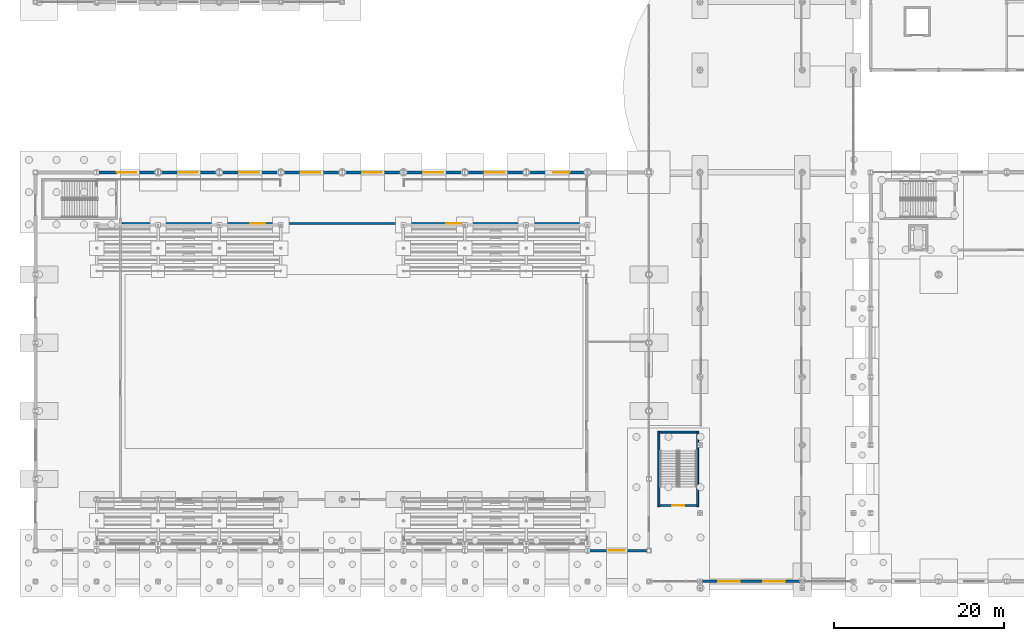
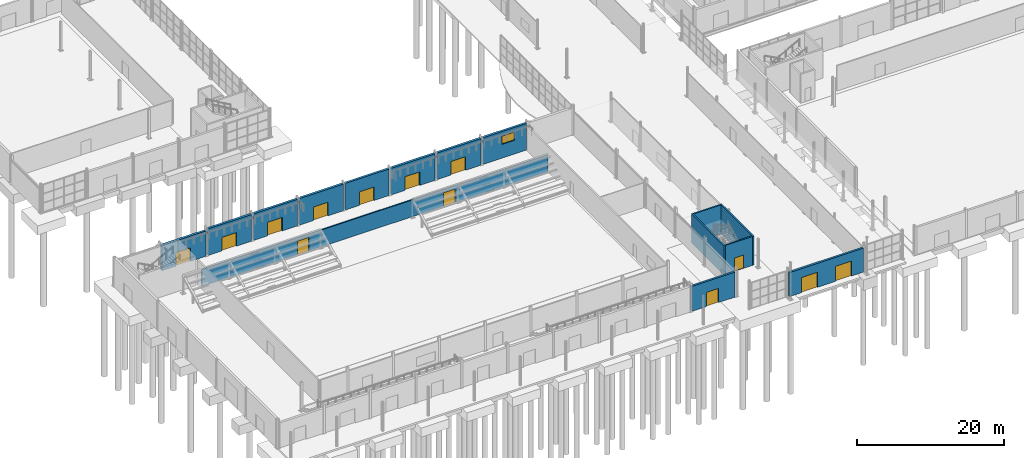
# One storey, part 75 of 101: 15 walls, 13 doors, 1 window, 14 openings.
"""IFC4 building model written with IfcOpenShell, lengths in metres."""

from ifc_helpers import new_model, si_unit, derived_unit, direction, frame, frame_2d, origin, place, context, subcontext, project, spatial, rectangle, extrude, material, layer, layer_set, type_object, element, fill, save


model = new_model("IFC4")

# Units and contexts
model_context = context("Model", 3, precision=1e-05, world=origin(), true_north=direction((0.0, 1.0)))
body_context = subcontext(model_context, "Body", "Model", "MODEL_VIEW")
ifc_project = project(units=[si_unit("LENGTHUNIT", "METRE"), si_unit("AREAUNIT", "SQUARE_METRE"), si_unit("VOLUMEUNIT", "CUBIC_METRE"), si_unit("PLANEANGLEUNIT", "RADIAN"), si_unit("MASSUNIT", "GRAM", prefix="KILO"), derived_unit("THERMALTRANSMITTANCEUNIT", [(si_unit("POWERUNIT", "WATT"), 1), (si_unit("LENGTHUNIT", "METRE"), -2), (si_unit("THERMODYNAMICTEMPERATUREUNIT", "KELVIN"), -1)])], contexts=[model_context])

# Site, building, storey
site_placement = place(None, origin())
site = spatial("IfcSite", under=ifc_project, at=site_placement, CompositionType="ELEMENT")
building_placement = place(site_placement, origin())
building = spatial("IfcBuilding", under=site, at=building_placement, Name="Keldorne Ridge Multi-Sports Centre", CompositionType="ELEMENT")
storey_placement = place(building_placement, origin())
storey = spatial("IfcBuildingStorey", under=building, at=storey_placement, Name="L00", CompositionType="ELEMENT", Elevation=0.0)

# Wall, opening, door
ifc_material_1 = material(Name="Precast concrete C40/50", Category="concrete")
ifc_layer_1 = layer(ifc_material_1, 0.320068359375)
ifc_layer_set_1 = layer_set([ifc_layer_1], Name="Precast concrete C40/50")
wall_type_1 = type_object("IfcWallType", Name="WAL-PR-W1", PredefinedType="STANDARD", material=ifc_layer_set_1)
wall_1_placement = place(storey_placement, frame((70.951904296875, 9.60009765625, 0.0), z_axis=(0.0, 0.0, 1.0), x_axis=(1.0, 0.0, 0.0)))
wall_1 = element("IfcWall", 1, at=wall_1_placement, inside=storey, type_object=wall_type_1, Name="Main Hall south ground wall bay 10", PredefinedType="STANDARD", context=body_context, shape_type="SweptSolid", body=[
    extrude(rectangle(XDim=6.7919921875, YDim=0.320068359375, at=frame_2d((3.39599609375, 0.0))), origin(), (0.0, 0.0, 1.0), 4.155029296875),
])
opening_1_placement = place(wall_1_placement, frame((2.337890625, 0.0, 0.0)))
opening_1 = element("IfcOpeningElement", 2, at=opening_1_placement, cuts=wall_1, Name="Opening ED-07", PredefinedType="OPENING", context=body_context, shape_type="SweptSolid", body=[
    extrude(rectangle(XDim=1.89990234375, YDim=2.35009765625, at=frame_2d((0.949951171875, 1.175048828125))), frame((0.0, 0.169921875, 0.0), z_axis=(0.0, -1.0, 0.0), x_axis=(1.0, 0.0, 0.0)), (0.0, 0.0, 1.0), 0.340087890625),
])
ifc_material_2 = material(Name="Galvanized steel", Category="steel")
door_type_1 = type_object("IfcDoorType", Name="DR-ED-07", OperationType="NOTDEFINED", PredefinedType="DOOR", material=ifc_material_2)
door_1_placement = place(opening_1_placement, origin())
door_1 = element("IfcDoor", 3, at=door_1_placement, inside=storey, type_object=door_type_1, Name="South Colonnade double exit door bay 10", OperationType="DOUBLE_DOOR_SINGLE_SWING", OverallHeight=2.35009765625, OverallWidth=1.89990234375, PredefinedType="DOOR", context=body_context, shape_type="SweptSolid", body=[
    extrude(rectangle(XDim=1.89990234375, YDim=2.35009765625, at=frame_2d((0.949951171875, 1.175048828125))), frame((0.0, 0.02490234375, 0.0), z_axis=(0.0, -1.0, 0.0), x_axis=(1.0, 0.0, 0.0)), (0.0, 0.0, 1.0), 0.050048828125),
])
fill(opening_1, door_1)

# Wall, openings, doors
wall_2_placement = place(storey_placement, frame((84.163818359375, 6.0, 0.0), z_axis=(0.0, 0.0, 1.0), x_axis=(1.0, 0.0, 0.0)))
wall_2 = element("IfcWall", 4, at=wall_2_placement, inside=storey, type_object=wall_type_1, Name="Public Passage S entrance portal", PredefinedType="STANDARD", context=body_context, shape_type="SweptSolid", body=[
    extrude(rectangle(XDim=11.67236328125, YDim=0.320068359375, at=frame_2d((5.836181640625, 0.0))), origin(), (0.0, 0.0, 1.0), 3.985107421875),
])
opening_2_placement = place(wall_2_placement, frame((1.97607421875, 0.0, 0.0)))
opening_2 = element("IfcOpeningElement", 5, at=opening_2_placement, cuts=wall_2, Name="Opening ED-02", PredefinedType="OPENING", context=body_context, shape_type="SweptSolid", body=[
    extrude(rectangle(XDim=2.5, YDim=2.5, at=frame_2d((1.25, 1.25))), frame((0.0, 0.169921875, 0.0), z_axis=(0.0, -1.0, 0.0), x_axis=(1.0, 0.0, 0.0)), (0.0, 0.0, 1.0), 0.340087890625),
])
opening_3_placement = place(wall_2_placement, frame((7.276123046875, 0.0, 0.0)))
opening_3 = element("IfcOpeningElement", 6, at=opening_3_placement, cuts=wall_2, Name="Opening ED-02", PredefinedType="OPENING", context=body_context, shape_type="SweptSolid", body=[
    extrude(rectangle(XDim=2.5, YDim=2.5, at=frame_2d((1.25, 1.25))), frame((0.0, 0.169921875, 0.0), z_axis=(0.0, -1.0, 0.0), x_axis=(1.0, 0.0, 0.0)), (0.0, 0.0, 1.0), 0.340087890625),
])
door_type_2 = type_object("IfcDoorType", Name="DR-ED-02", OperationType="NOTDEFINED", PredefinedType="DOOR", material=ifc_material_2)
door_2_placement = place(opening_2_placement, origin())
door_2 = element("IfcDoor", 7, at=door_2_placement, inside=storey, type_object=door_type_2, Name="Public Passage S portal west double entrance", OperationType="DOUBLE_DOOR_SINGLE_SWING", OverallHeight=2.5, OverallWidth=2.5, PredefinedType="DOOR", context=body_context, shape_type="SweptSolid", body=[
    extrude(rectangle(XDim=2.5, YDim=2.5, at=frame_2d((1.25, 1.25))), frame((0.0, 0.02490234375, 0.0), z_axis=(0.0, -1.0, 0.0), x_axis=(1.0, 0.0, 0.0)), (0.0, 0.0, 1.0), 0.050048828125),
])
fill(opening_2, door_2)
door_3_placement = place(opening_3_placement, origin())
door_3 = element("IfcDoor", 8, at=door_3_placement, inside=storey, type_object=door_type_2, Name="Public Passage S portal east double entrance", OperationType="DOUBLE_DOOR_SINGLE_SWING", OverallHeight=2.5, OverallWidth=2.5, PredefinedType="DOOR", context=body_context, shape_type="SweptSolid", body=[
    extrude(rectangle(XDim=2.5, YDim=2.5, at=frame_2d((1.25, 1.25))), frame((0.0, 0.02490234375, 0.0), z_axis=(0.0, -1.0, 0.0), x_axis=(1.0, 0.0, 0.0)), (0.0, 0.0, 1.0), 0.050048828125),
])
fill(opening_3, door_3)

# Wall, opening, door
ifc_layer_2 = layer(ifc_material_1, 0.360107421875)
ifc_layer_set_2 = layer_set([ifc_layer_2], Name="Precast concrete C40/50")
wall_type_2 = type_object("IfcWallType", Name="WAL-PR-W2", PredefinedType="STANDARD", material=ifc_layer_set_2)
wall_3_placement = place(storey_placement, frame((20.248046875, 54.0, 0.0), z_axis=(0.0, 0.0, 1.0), x_axis=(-1.0, 0.0, 0.0)))
wall_3 = element("IfcWall", 9, at=wall_3_placement, inside=storey, type_object=wall_type_2, Name="Main Hall north acoustic wall bay 2", PredefinedType="STANDARD", context=body_context, shape_type="SweptSolid", body=[
    extrude(rectangle(XDim=6.89599609375, YDim=0.360107421875, at=frame_2d((3.447998046875, 0.0))), origin(), (0.0, 0.0, 1.0), 4.205078125),
])
opening_4_placement = place(wall_3_placement, frame((2.387939453125, 0.0, 0.0)))
opening_4 = element("IfcOpeningElement", 10, at=opening_4_placement, cuts=wall_3, Name="Opening ED-03", PredefinedType="OPENING", context=body_context, shape_type="SweptSolid", body=[
    extrude(rectangle(XDim=2.300048828125, YDim=2.25, at=frame_2d((1.14990234375, 1.125))), frame((0.0, 0.18994140625, 0.0), z_axis=(0.0, -1.0, 0.0), x_axis=(1.0, 0.0, 0.0)), (0.0, 0.0, 1.0), 0.380126953125),
])
door_type_3 = type_object("IfcDoorType", Name="DR-ED-03", OperationType="NOTDEFINED", PredefinedType="DOOR", material=ifc_material_2)
door_4_placement = place(opening_4_placement, origin())
door_4 = element("IfcDoor", 11, at=door_4_placement, inside=storey, type_object=door_type_3, Name="Main Hall north emergency double exit door bay 2", OperationType="DOUBLE_DOOR_SINGLE_SWING", OverallHeight=2.25, OverallWidth=2.300048828125, PredefinedType="DOOR", context=body_context, shape_type="SweptSolid", body=[
    extrude(rectangle(XDim=2.300048828125, YDim=2.25, at=frame_2d((1.14990234375, 1.125))), frame((0.0, 0.02490234375, 0.0), z_axis=(0.0, -1.0, 0.0), x_axis=(1.0, 0.0, 0.0)), (0.0, 0.0, 1.0), 0.050048828125),
])
fill(opening_4, door_4)

wall_4_placement = place(storey_placement, frame((27.447998046875, 54.0, 0.0), z_axis=(0.0, 0.0, 1.0), x_axis=(-1.0, 0.0, 0.0)))
wall_4 = element("IfcWall", 12, at=wall_4_placement, inside=storey, type_object=wall_type_2, Name="Main Hall north acoustic wall bay 3", PredefinedType="STANDARD", context=body_context, shape_type="SweptSolid", body=[
    extrude(rectangle(XDim=6.89599609375, YDim=0.360107421875, at=frame_2d((3.447998046875, 0.0))), origin(), (0.0, 0.0, 1.0), 4.425048828125),
])
opening_5_placement = place(wall_4_placement, frame((2.387939453125, 0.0, 0.0)))
opening_5 = element("IfcOpeningElement", 13, at=opening_5_placement, cuts=wall_4, Name="Opening ED-03", PredefinedType="OPENING", context=body_context, shape_type="SweptSolid", body=[
    extrude(rectangle(XDim=2.300048828125, YDim=2.25, at=frame_2d((1.14990234375, 1.125))), frame((0.0, 0.18994140625, 0.0), z_axis=(0.0, -1.0, 0.0), x_axis=(1.0, 0.0, 0.0)), (0.0, 0.0, 1.0), 0.380126953125),
])
door_5_placement = place(opening_5_placement, origin())
door_5 = element("IfcDoor", 14, at=door_5_placement, inside=storey, type_object=door_type_3, Name="Main Hall north emergency double exit door bay 3", OperationType="DOUBLE_DOOR_SINGLE_SWING", OverallHeight=2.25, OverallWidth=2.300048828125, PredefinedType="DOOR", context=body_context, shape_type="SweptSolid", body=[
    extrude(rectangle(XDim=2.300048828125, YDim=2.25, at=frame_2d((1.14990234375, 1.125))), frame((0.0, 0.02490234375, 0.0), z_axis=(0.0, -1.0, 0.0), x_axis=(1.0, 0.0, 0.0)), (0.0, 0.0, 1.0), 0.050048828125),
])
fill(opening_5, door_5)

wall_5_placement = place(storey_placement, frame((34.64794921875, 54.0, 0.0), z_axis=(0.0, 0.0, 1.0), x_axis=(-1.0, 0.0, 0.0)))
wall_5 = element("IfcWall", 15, at=wall_5_placement, inside=storey, type_object=wall_type_2, Name="Main Hall north acoustic wall bay 4", PredefinedType="STANDARD", context=body_context, shape_type="SweptSolid", body=[
    extrude(rectangle(XDim=6.89599609375, YDim=0.360107421875, at=frame_2d((3.447998046875, 0.0))), origin(), (0.0, 0.0, 1.0), 4.425048828125),
])
opening_6_placement = place(wall_5_placement, frame((2.387939453125, 0.0, 0.0)))
opening_6 = element("IfcOpeningElement", 16, at=opening_6_placement, cuts=wall_5, Name="Opening ED-03", PredefinedType="OPENING", context=body_context, shape_type="SweptSolid", body=[
    extrude(rectangle(XDim=2.300048828125, YDim=2.25, at=frame_2d((1.14990234375, 1.125))), frame((0.0, 0.18994140625, 0.0), z_axis=(0.0, -1.0, 0.0), x_axis=(1.0, 0.0, 0.0)), (0.0, 0.0, 1.0), 0.380126953125),
])
door_6_placement = place(opening_6_placement, origin())
door_6 = element("IfcDoor", 17, at=door_6_placement, inside=storey, type_object=door_type_3, Name="Main Hall north emergency double exit door bay 4", OperationType="DOUBLE_DOOR_SINGLE_SWING", OverallHeight=2.25, OverallWidth=2.300048828125, PredefinedType="DOOR", context=body_context, shape_type="SweptSolid", body=[
    extrude(rectangle(XDim=2.300048828125, YDim=2.25, at=frame_2d((1.14990234375, 1.125))), frame((0.0, 0.02490234375, 0.0), z_axis=(0.0, -1.0, 0.0), x_axis=(1.0, 0.0, 0.0)), (0.0, 0.0, 1.0), 0.050048828125),
])
fill(opening_6, door_6)

wall_6_placement = place(storey_placement, frame((41.847900390625, 54.0, 0.0), z_axis=(0.0, 0.0, 1.0), x_axis=(-1.0, 0.0, 0.0)))
wall_6 = element("IfcWall", 18, at=wall_6_placement, inside=storey, type_object=wall_type_2, Name="Main Hall north acoustic wall bay 5", PredefinedType="STANDARD", context=body_context, shape_type="SweptSolid", body=[
    extrude(rectangle(XDim=6.89599609375, YDim=0.360107421875, at=frame_2d((3.447998046875, 0.0))), origin(), (0.0, 0.0, 1.0), 4.425048828125),
])
opening_7_placement = place(wall_6_placement, frame((2.387939453125, 0.0, 0.0)))
opening_7 = element("IfcOpeningElement", 19, at=opening_7_placement, cuts=wall_6, Name="Opening ED-03", PredefinedType="OPENING", context=body_context, shape_type="SweptSolid", body=[
    extrude(rectangle(XDim=2.300048828125, YDim=2.25, at=frame_2d((1.14990234375, 1.125))), frame((0.0, 0.18994140625, 0.0), z_axis=(0.0, -1.0, 0.0), x_axis=(1.0, 0.0, 0.0)), (0.0, 0.0, 1.0), 0.380126953125),
])
door_7_placement = place(opening_7_placement, origin())
door_7 = element("IfcDoor", 20, at=door_7_placement, inside=storey, type_object=door_type_3, Name="Main Hall north emergency double exit door bay 5", OperationType="DOUBLE_DOOR_SINGLE_SWING", OverallHeight=2.25, OverallWidth=2.300048828125, PredefinedType="DOOR", context=body_context, shape_type="SweptSolid", body=[
    extrude(rectangle(XDim=2.300048828125, YDim=2.25, at=frame_2d((1.14990234375, 1.125))), frame((0.0, 0.02490234375, 0.0), z_axis=(0.0, -1.0, 0.0), x_axis=(1.0, 0.0, 0.0)), (0.0, 0.0, 1.0), 0.050048828125),
])
fill(opening_7, door_7)

wall_7_placement = place(storey_placement, frame((49.048095703125, 54.0, 0.0), z_axis=(0.0, 0.0, 1.0), x_axis=(-1.0, 0.0, 0.0)))
wall_7 = element("IfcWall", 21, at=wall_7_placement, inside=storey, type_object=wall_type_2, Name="Main Hall north acoustic wall bay 6", PredefinedType="STANDARD", context=body_context, shape_type="SweptSolid", body=[
    extrude(rectangle(XDim=6.89599609375, YDim=0.360107421875, at=frame_2d((3.447998046875, 0.0))), origin(), (0.0, 0.0, 1.0), 4.425048828125),
])
opening_8_placement = place(wall_7_placement, frame((2.387939453125, 0.0, 0.0)))
opening_8 = element("IfcOpeningElement", 22, at=opening_8_placement, cuts=wall_7, Name="Opening ED-03", PredefinedType="OPENING", context=body_context, shape_type="SweptSolid", body=[
    extrude(rectangle(XDim=2.300048828125, YDim=2.25, at=frame_2d((1.14990234375, 1.125))), frame((0.0, 0.18994140625, 0.0), z_axis=(0.0, -1.0, 0.0), x_axis=(1.0, 0.0, 0.0)), (0.0, 0.0, 1.0), 0.380126953125),
])
door_8_placement = place(opening_8_placement, origin())
door_8 = element("IfcDoor", 23, at=door_8_placement, inside=storey, type_object=door_type_3, Name="Main Hall north emergency double exit door bay 6", OperationType="DOUBLE_DOOR_SINGLE_SWING", OverallHeight=2.25, OverallWidth=2.300048828125, PredefinedType="DOOR", context=body_context, shape_type="SweptSolid", body=[
    extrude(rectangle(XDim=2.300048828125, YDim=2.25, at=frame_2d((1.14990234375, 1.125))), frame((0.0, 0.02490234375, 0.0), z_axis=(0.0, -1.0, 0.0), x_axis=(1.0, 0.0, 0.0)), (0.0, 0.0, 1.0), 0.050048828125),
])
fill(opening_8, door_8)

wall_8_placement = place(storey_placement, frame((56.248046875, 54.0, 0.0), z_axis=(0.0, 0.0, 1.0), x_axis=(-1.0, 0.0, 0.0)))
wall_8 = element("IfcWall", 24, at=wall_8_placement, inside=storey, type_object=wall_type_2, Name="Main Hall north acoustic wall bay 7", PredefinedType="STANDARD", context=body_context, shape_type="SweptSolid", body=[
    extrude(rectangle(XDim=6.89599609375, YDim=0.360107421875, at=frame_2d((3.447998046875, 0.0))), origin(), (0.0, 0.0, 1.0), 4.425048828125),
])
opening_9_placement = place(wall_8_placement, frame((2.387939453125, 0.0, 0.0)))
opening_9 = element("IfcOpeningElement", 25, at=opening_9_placement, cuts=wall_8, Name="Opening ED-03", PredefinedType="OPENING", context=body_context, shape_type="SweptSolid", body=[
    extrude(rectangle(XDim=2.300048828125, YDim=2.25, at=frame_2d((1.14990234375, 1.125))), frame((0.0, 0.18994140625, 0.0), z_axis=(0.0, -1.0, 0.0), x_axis=(1.0, 0.0, 0.0)), (0.0, 0.0, 1.0), 0.380126953125),
])
door_9_placement = place(opening_9_placement, origin())
door_9 = element("IfcDoor", 26, at=door_9_placement, inside=storey, type_object=door_type_3, Name="Main Hall north emergency double exit door bay 7", OperationType="DOUBLE_DOOR_SINGLE_SWING", OverallHeight=2.25, OverallWidth=2.300048828125, PredefinedType="DOOR", context=body_context, shape_type="SweptSolid", body=[
    extrude(rectangle(XDim=2.300048828125, YDim=2.25, at=frame_2d((1.14990234375, 1.125))), frame((0.0, 0.02490234375, 0.0), z_axis=(0.0, -1.0, 0.0), x_axis=(1.0, 0.0, 0.0)), (0.0, 0.0, 1.0), 0.050048828125),
])
fill(opening_9, door_9)

wall_9_placement = place(storey_placement, frame((63.447998046875, 54.0, 0.0), z_axis=(0.0, 0.0, 1.0), x_axis=(-1.0, 0.0, 0.0)))
wall_9 = element("IfcWall", 27, at=wall_9_placement, inside=storey, type_object=wall_type_2, Name="Main Hall north acoustic wall bay 8", PredefinedType="STANDARD", context=body_context, shape_type="SweptSolid", body=[
    extrude(rectangle(XDim=6.89599609375, YDim=0.360107421875, at=frame_2d((3.447998046875, 0.0))), origin(), (0.0, 0.0, 1.0), 4.425048828125),
])
opening_10_placement = place(wall_9_placement, frame((2.387939453125, 0.0, 0.0)))
opening_10 = element("IfcOpeningElement", 28, at=opening_10_placement, cuts=wall_9, Name="Opening ED-03", PredefinedType="OPENING", context=body_context, shape_type="SweptSolid", body=[
    extrude(rectangle(XDim=2.300048828125, YDim=2.25, at=frame_2d((1.14990234375, 1.125))), frame((0.0, 0.18994140625, 0.0), z_axis=(0.0, -1.0, 0.0), x_axis=(1.0, 0.0, 0.0)), (0.0, 0.0, 1.0), 0.380126953125),
])
door_10_placement = place(opening_10_placement, origin())
door_10 = element("IfcDoor", 29, at=door_10_placement, inside=storey, type_object=door_type_3, Name="Main Hall north emergency double exit door bay 8", OperationType="DOUBLE_DOOR_SINGLE_SWING", OverallHeight=2.25, OverallWidth=2.300048828125, PredefinedType="DOOR", context=body_context, shape_type="SweptSolid", body=[
    extrude(rectangle(XDim=2.300048828125, YDim=2.25, at=frame_2d((1.14990234375, 1.125))), frame((0.0, 0.02490234375, 0.0), z_axis=(0.0, -1.0, 0.0), x_axis=(1.0, 0.0, 0.0)), (0.0, 0.0, 1.0), 0.050048828125),
])
fill(opening_10, door_10)

# Wall, opening, window
wall_10_placement = place(storey_placement, frame((70.64794921875, 54.0, 0.0), z_axis=(0.0, 0.0, 1.0), x_axis=(-1.0, 0.0, 0.0)))
wall_10 = element("IfcWall", 30, at=wall_10_placement, inside=storey, type_object=wall_type_2, Name="Main Hall north acoustic wall bay 9", PredefinedType="STANDARD", context=body_context, shape_type="SweptSolid", body=[
    extrude(rectangle(XDim=6.89599609375, YDim=0.360107421875, at=frame_2d((3.447998046875, 0.0))), origin(), (0.0, 0.0, 1.0), 4.425048828125),
])
opening_11_placement = place(wall_10_placement, frame((1.93798828125, 0.0, 2.300048828125)))
opening_11 = element("IfcOpeningElement", 31, at=opening_11_placement, cuts=wall_10, Name="Opening W-12", PredefinedType="OPENING", context=body_context, shape_type="SweptSolid", body=[
    extrude(rectangle(XDim=1.949951171875, YDim=1.35009765625, at=frame_2d((0.97509765625, 0.675048828125))), frame((0.0, 0.18994140625, 0.0), z_axis=(0.0, -1.0, 0.0), x_axis=(1.0, 0.0, 0.0)), (0.0, 0.0, 1.0), 0.380126953125),
])
ifc_material_3 = material(Name="Anodized aluminium", Category="aluminium")
window_type = type_object("IfcWindowType", Name="WIN-W-12", PartitioningType="SINGLE_PANEL", PredefinedType="WINDOW", material=ifc_material_3)
window_placement = place(opening_11_placement, origin())
window = element("IfcWindow", 32, at=window_placement, inside=storey, type_object=window_type, Name="Main Hall north clerestory window W-001", OverallHeight=1.35009765625, OverallWidth=1.949951171875, PartitioningType="SINGLE_PANEL", PredefinedType="WINDOW", context=body_context, shape_type="SweptSolid", body=[
    extrude(rectangle(XDim=1.949951171875, YDim=1.35009765625, at=frame_2d((0.97509765625, 0.675048828125))), frame((0.0, 0.030029296875, 0.0), z_axis=(0.0, -1.0, 0.0), x_axis=(1.0, 0.0, 0.0)), (0.0, 0.0, 1.0), 0.06005859375),
])
fill(opening_11, window)

# Wall, openings, doors
ifc_material_4 = material(Name="Concrete blockwork C25/30", Category="masonry")
ifc_layer_3 = layer(ifc_material_4, 0.199951171875)
ifc_layer_set_3 = layer_set([ifc_layer_3])
wall_type_3 = type_object("IfcWallType", Name="WAL-PT-03", PredefinedType="PARTITIONING", material=ifc_layer_set_3)
wall_11_placement = place(storey_placement, frame((16.199951171875, 48.0, 0.0), z_axis=(0.0, 0.0, 1.0), x_axis=(1.0, 0.0, 0.0)))
wall_11 = element("IfcWall", 33, at=wall_11_placement, inside=storey, type_object=wall_type_3, Name="Main Hall north apparatus store wall IW-L00-013", PredefinedType="PARTITIONING", context=body_context, shape_type="SweptSolid", body=[
    extrude(rectangle(XDim=54.400146484375, YDim=0.199951171875, at=frame_2d((27.2001953125, 0.0))), origin(), (0.0, 0.0, 1.0), 2.794921875),
])
opening_12_placement = place(wall_11_placement, frame((15.0, 0.0, 0.0)))
opening_12 = element("IfcOpeningElement", 34, at=opening_12_placement, cuts=wall_11, Name="Opening D-06", PredefinedType="OPENING", context=body_context, shape_type="SweptSolid", body=[
    extrude(rectangle(XDim=1.800048828125, YDim=2.25, at=frame_2d((0.89990234375, 1.125))), frame((0.0, 0.10986328125, 0.0), z_axis=(0.0, -1.0, 0.0), x_axis=(1.0, 0.0, 0.0)), (0.0, 0.0, 1.0), 0.219970703125),
])
opening_13_placement = place(wall_11_placement, frame((38.0, 0.0, 0.0)))
opening_13 = element("IfcOpeningElement", 35, at=opening_13_placement, cuts=wall_11, Name="Opening D-06", PredefinedType="OPENING", context=body_context, shape_type="SweptSolid", body=[
    extrude(rectangle(XDim=1.800048828125, YDim=2.25, at=frame_2d((0.89990234375, 1.125))), frame((0.0, 0.10986328125, 0.0), z_axis=(0.0, -1.0, 0.0), x_axis=(1.0, 0.0, 0.0)), (0.0, 0.0, 1.0), 0.219970703125),
])
ifc_material_5 = material(Name="Steel acoustic pair", Category="steel")
door_type_4 = type_object("IfcDoorType", Name="DR-D-06", OperationType="NOTDEFINED", PredefinedType="DOOR", material=ifc_material_5)
door_11_placement = place(opening_12_placement, origin())
door_11 = element("IfcDoor", 36, at=door_11_placement, inside=storey, type_object=door_type_4, Name="Competition north store door 1 D-066", OperationType="DOUBLE_DOOR_SINGLE_SWING", OverallHeight=2.25, OverallWidth=1.800048828125, PredefinedType="DOOR", context=body_context, shape_type="SweptSolid", body=[
    extrude(rectangle(XDim=1.800048828125, YDim=2.25, at=frame_2d((0.89990234375, 1.125))), frame((0.0, 0.02490234375, 0.0), z_axis=(0.0, -1.0, 0.0), x_axis=(1.0, 0.0, 0.0)), (0.0, 0.0, 1.0), 0.050048828125),
])
fill(opening_12, door_11)
door_12_placement = place(opening_13_placement, origin())
door_12 = element("IfcDoor", 37, at=door_12_placement, inside=storey, type_object=door_type_4, Name="Competition north store door 2 D-067", OperationType="DOUBLE_DOOR_SINGLE_SWING", OverallHeight=2.25, OverallWidth=1.800048828125, PredefinedType="DOOR", context=body_context, shape_type="SweptSolid", body=[
    extrude(rectangle(XDim=1.800048828125, YDim=2.25, at=frame_2d((0.89990234375, 1.125))), frame((0.0, 0.02490234375, 0.0), z_axis=(0.0, -1.0, 0.0), x_axis=(1.0, 0.0, 0.0)), (0.0, 0.0, 1.0), 0.050048828125),
])
fill(opening_13, door_12)

# Wall, opening, door
ifc_material_6 = material(Name="Concrete C40/50", Category="concrete")
ifc_layer_4 = layer(ifc_material_6, 0.22998046875)
ifc_layer_set_4 = layer_set([ifc_layer_4], Name="Concrete C40/50")
wall_type_4 = type_object("IfcWallType", Name="WAL-SW02", PredefinedType="SHEAR", material=ifc_layer_set_4)
wall_12_placement = place(storey_placement, frame((79.300048828125, 14.885009765625, 0.0), z_axis=(0.0, 0.0, 1.0), x_axis=(1.0, 0.0, 0.0)))
wall_12 = element("IfcWall", 38, at=wall_12_placement, inside=storey, type_object=wall_type_4, Name="Stair ST-07 shaft wall L00 NEAR", PredefinedType="SHEAR", context=body_context, shape_type="SweptSolid", body=[
    extrude(rectangle(XDim=4.300048828125, YDim=0.22998046875, at=frame_2d((2.14990234375, 0.0))), origin(), (0.0, 0.0, 1.0), 4.800048828125),
])
opening_14_placement = place(wall_12_placement, frame((1.425048828125, 0.0, 0.0)))
opening_14 = element("IfcOpeningElement", 39, at=opening_14_placement, cuts=wall_12, Name="Opening D-05", PredefinedType="OPENING", context=body_context, shape_type="SweptSolid", body=[
    extrude(rectangle(XDim=1.449951171875, YDim=2.199951171875, at=frame_2d((0.72509765625, 1.10009765625))), frame((0.0, 0.125, 0.0), z_axis=(0.0, -1.0, 0.0), x_axis=(1.0, 0.0, 0.0)), (0.0, 0.0, 1.0), 0.25),
])
ifc_material_7 = material(Name="Steel fire-resisting pair", Category="steel")
door_type_5 = type_object("IfcDoorType", Name="DR-D-05", OperationType="NOTDEFINED", PredefinedType="DOOR", material=ifc_material_7)
door_13_placement = place(opening_14_placement, origin())
door_13 = element("IfcDoor", 40, at=door_13_placement, inside=storey, type_object=door_type_5, Name="Stair ST-07 L00 fire door D-032", OperationType="DOUBLE_DOOR_SINGLE_SWING", OverallHeight=2.199951171875, OverallWidth=1.449951171875, PredefinedType="DOOR", context=body_context, shape_type="SweptSolid", body=[
    extrude(rectangle(XDim=1.449951171875, YDim=2.199951171875, at=frame_2d((0.72509765625, 1.10009765625))), frame((0.0, 0.02490234375, 0.0), z_axis=(0.0, -1.0, 0.0), x_axis=(1.0, 0.0, 0.0)), (0.0, 0.0, 1.0), 0.050048828125),
])
fill(opening_14, door_13)

# Walls
wall_13_placement = place(storey_placement, frame((83.60009765625, 23.514892578125, 0.0), z_axis=(0.0, 0.0, 1.0), x_axis=(-1.0, 0.0, 0.0)))
element("IfcWall", 41, at=wall_13_placement, inside=storey, type_object=wall_type_4, Name="Stair ST-07 shaft wall L00 FAR", PredefinedType="SHEAR", context=body_context, shape_type="SweptSolid", body=[
    extrude(rectangle(XDim=4.300048828125, YDim=0.22998046875, at=frame_2d((2.14990234375, 0.0))), origin(), (0.0, 0.0, 1.0), 4.800048828125),
])
for number, where, z_axis, x_axis, name in (
    (42, (79.18505859375, 14.77001953125, 0.0), (0.0, 0.0, 1.0), (0.0, 1.0, 0.0), "Stair ST-07 shaft wall L00 WEST"),
    (43, (83.715087890625, 23.6298828125, 0.0), (0.0, 0.0, 1.0), (0.0, -1.0, 0.0), "Stair ST-07 shaft wall L00 EAST"),
):
    element("IfcWall", number, at=place(storey_placement, frame(where, z_axis=z_axis, x_axis=x_axis)), inside=storey, type_object=wall_type_4, Name=name, PredefinedType="SHEAR", context=body_context, shape_type="SweptSolid", body=[
        extrude(rectangle(XDim=8.85986328125, YDim=0.22998046875, at=frame_2d((4.429931640625, 0.0))), origin(), (0.0, 0.0, 1.0), 4.800048828125),
    ])

save(model, "model.ifc")
